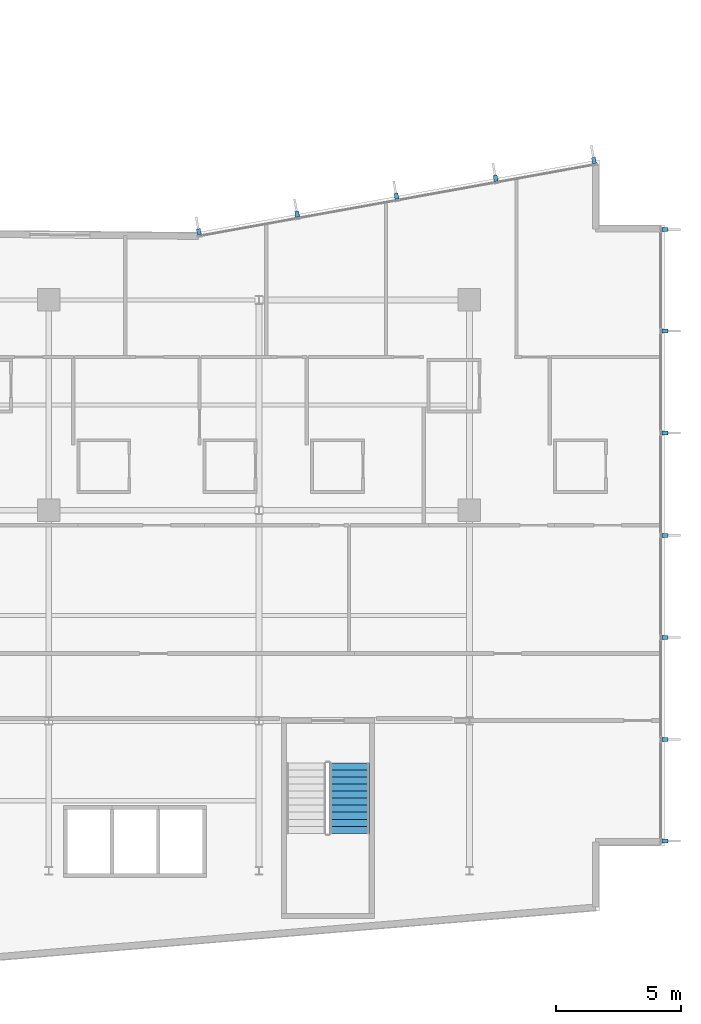
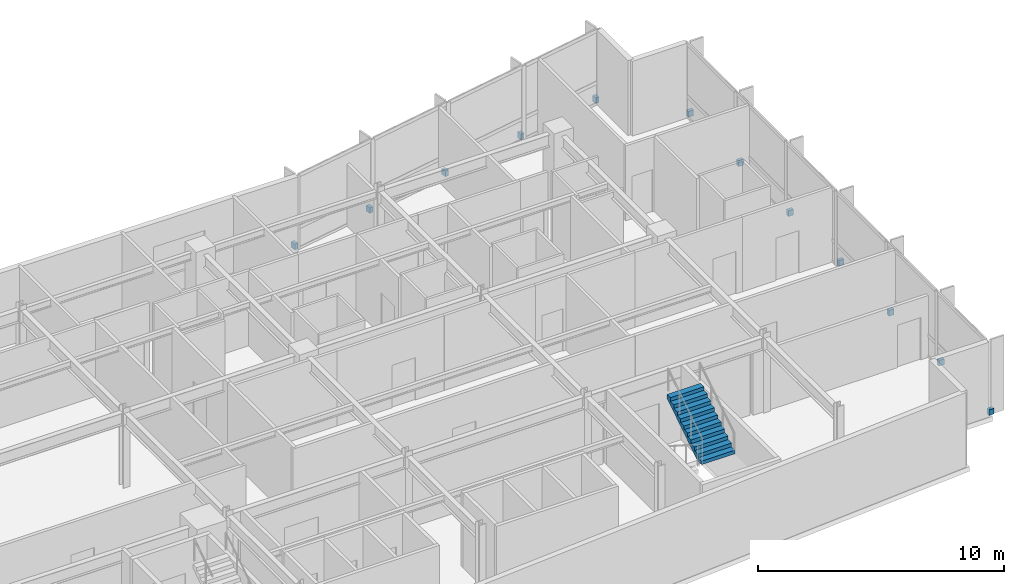
# One storey, part 17 of 22: 12 discrete accessories, 1 stair flight, 1 element without a shape of its own.
"""IFC4 building model written with IfcOpenShell, lengths in metres."""

from ifc_helpers import new_model, si_unit, direction, frame, origin, origin_2d, place, context, subcontext, project, spatial, polyline, rectangle, outline, extrude, material, layer, layer_set, type_object, element, aggregate, save


model = new_model("IFC4")

# Units and contexts
model_context = context("Model", 3, precision=1e-05, world=origin(), true_north=direction((0.0, 1.0)))
body_context = subcontext(model_context, "Body", "Model", "MODEL_VIEW")
ifc_project = project(units=[si_unit("LENGTHUNIT", "METRE"), si_unit("AREAUNIT", "SQUARE_METRE"), si_unit("VOLUMEUNIT", "CUBIC_METRE"), si_unit("PLANEANGLEUNIT", "RADIAN"), si_unit("MASSUNIT", "GRAM", prefix="KILO")], contexts=[model_context])

# Site, building, storey
site_placement = place(None, origin())
site = spatial("IfcSite", under=ifc_project, at=site_placement, CompositionType="ELEMENT")
building_placement = place(site_placement, origin())
building = spatial("IfcBuilding", under=site, at=building_placement, Name="Varnakote Quay Hospital", CompositionType="ELEMENT")
storey_placement = place(building_placement, frame((0.0, 0.0, 62.0)))
storey = spatial("IfcBuildingStorey", under=building, at=storey_placement, Name="L15", CompositionType="ELEMENT", Elevation=62.0)

# Stair, stair flight
ifc_material_1 = material(Name="Concrete N40 (f'c 40 MPa)", Category="concrete")
stair_type = type_object("IfcStairType", Name="STR-CORE-1580", PredefinedType="HALF_TURN_STAIR", material=ifc_material_1)
stair_placement = place(storey_placement, origin())
stair = element("IfcStair", 1, at=stair_placement, inside=storey, type_object=stair_type, Name="L15 Fire-Isolated Exit Stair ST-03", PredefinedType="HALF_TURN_STAIR")
ifc_material_2 = material(Name="Concrete N40 (f'c 40 MPa)", Category="concrete")
ifc_layer = layer(ifc_material_2, 0.159912109375)
ifc_layer_set = layer_set([ifc_layer], Name="Concrete N40 (f'c 40 MPa)")
stair_flight_type = type_object("IfcStairFlightType", Name="FLT-CORE-1580", PredefinedType="STRAIGHT", material=ifc_layer_set)
stair_flight_placement = place(storey_placement, frame((45.610107421875, 7.5, 1.97509765625), z_axis=(0.0, 0.0, 1.0), x_axis=(0.0, 1.0, 0.0)))
stair_flight = element("IfcStairFlight", 2, at=stair_flight_placement, type_object=stair_flight_type, Name="ST-03 flight 2", NumberOfRisers=11, NumberOfTreads=10, PredefinedType="STRAIGHT", RiserHeight=0.179545455, TreadLength=0.28, context=body_context, shape_type="SweptSolid", body=[
    extrude(outline(polyline([(0.0, 0.0), (0.0, 0.179443359375), (0.280029296875, 0.179443359375), (0.280029296875, 0.359130859375), (0.56005859375, 0.359130859375), (0.56005859375, 0.53857421875), (0.840087890625, 0.53857421875), (0.840087890625, 0.71826171875), (1.1201171875, 0.71826171875), (1.1201171875, 0.897705078125), (1.39990234375, 0.897705078125), (1.39990234375, 1.077392578125), (1.679931640625, 1.077392578125), (1.679931640625, 1.2568359375), (1.9599609375, 1.2568359375), (1.9599609375, 1.436279296875), (2.239990234375, 1.436279296875), (2.239990234375, 1.615966796875), (2.52001953125, 1.615966796875), (2.52001953125, 1.79541015625), (2.800048828125, 1.79541015625), (2.800048828125, 1.97509765625), (2.800048828125, 1.60546875), (0.296142578125, 0.0), (0.0, 0.0)])), frame((0.0, 0.7900390625, 0.0), z_axis=(0.0, -1.0, 0.0), x_axis=(1.0, 0.0, 0.0)), (0.0, 0.0, 1.0), 1.580078125),
])
aggregate(stair, [stair_flight])

# Discrete accessories
ifc_material_3 = material(Name="Anodised aluminium 6063-T6 Bronze", Category="aluminium")
discrete_accessory_type = type_object("IfcDiscreteAccessoryType", Name="ACC-FIN-BRACKET-180", PredefinedType="BRACKET", material=ifc_material_3)
for number, where, z_axis, x_axis, name in (
    (3, (58.2099609375, 7.197509765625, 0.0), (0.0, 0.0, 1.0), (0.0, 1.0, 0.0), "L15 Curtain Wall Fin Fixing Bracket"),
    (4, (58.2099609375, 11.239990234375, 0.0), (0.0, 0.0, 1.0), (0.0, 1.0, 0.0), "L15 Curtain Wall Fin Fixing Bracket"),
    (5, (58.2099609375, 15.320068359375, 0.0), (0.0, 0.0, 1.0), (0.0, 1.0, 0.0), "L15 Curtain Wall Fin Fixing Bracket"),
    (6, (58.2099609375, 19.39990234375, 0.0), (0.0, 0.0, 1.0), (0.0, 1.0, 0.0), "L15 Curtain Wall Fin Fixing Bracket"),
    (7, (58.2099609375, 23.47998046875, 0.0), (0.0, 0.0, 1.0), (0.0, 1.0, 0.0), "L15 Curtain Wall Fin Fixing Bracket"),
    (8, (58.2099609375, 27.56005859375, 0.0), (0.0, 0.0, 1.0), (0.0, 1.0, 0.0), "L15 Curtain Wall Fin Fixing Bracket"),
    (9, (58.2099609375, 31.6025390625, 0.0), (0.0, 0.0, 1.0), (0.0, 1.0, 0.0), "L15 Curtain Wall Fin Fixing Bracket"),
    (10, (55.372802734375, 34.369140625, 0.0), (0.0, 0.0, 1.0), (-0.984071739666, -0.177771795263, 0.0), "L15 Curtain Wall Fin Fixing Bracket"),
    (11, (51.447265625, 33.65966796875, 0.0), (0.0, 0.0, 1.0), (-0.984071739666, -0.177771795263, 0.0), "L15 Curtain Wall Fin Fixing Bracket"),
    (12, (47.484619140625, 32.943603515625, 0.0), (0.0, 0.0, 1.0), (-0.984071739666, -0.177771795263, 0.0), "L15 Curtain Wall Fin Fixing Bracket"),
    (13, (43.52197265625, 32.227294921875, 0.0), (0.0, 0.0, 1.0), (-0.984071739666, -0.177771795263, 0.0), "L15 Curtain Wall Fin Fixing Bracket"),
    (14, (39.59619140625, 31.517822265625, 0.0), (0.0, 0.0, 1.0), (-0.984071739666, -0.177771795263, 0.0), "L15 Curtain Wall Fin Fixing Bracket"),
):
    element("IfcDiscreteAccessory", number, at=place(storey_placement, frame(where, z_axis=z_axis, x_axis=x_axis)), inside=storey, type_object=discrete_accessory_type, Name=name, PredefinedType="BRACKET", context=body_context, shape_type="SweptSolid", body=[
        extrude(rectangle(XDim=0.159912109375, YDim=0.239990234375, at=origin_2d()), origin(), (0.0, 0.0, 1.0), 0.280029296875),
    ])

save(model, "model.ifc")
